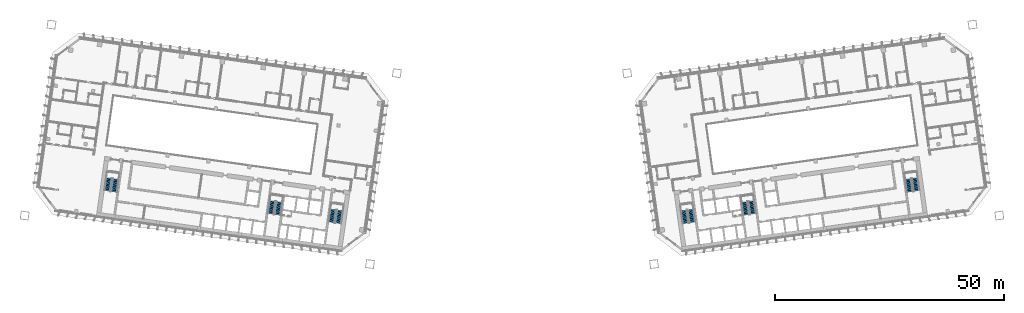
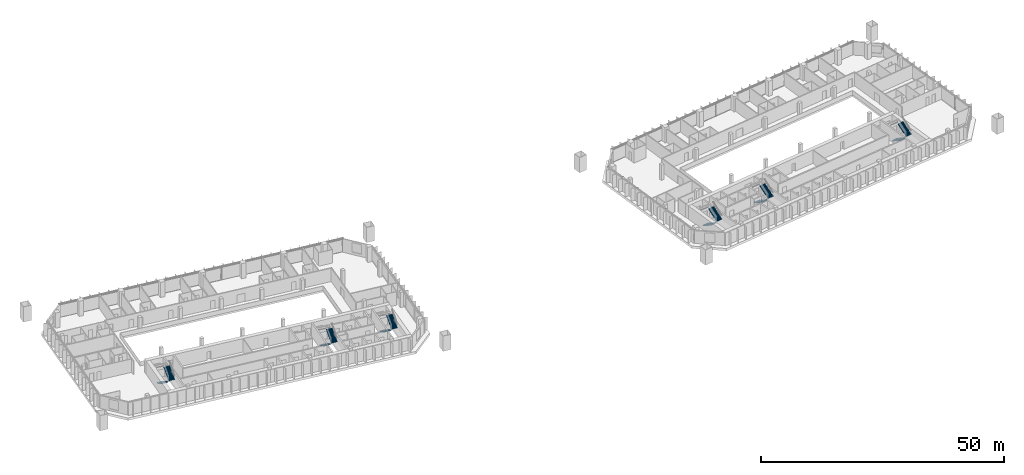
# One storey, part 22 of 24: 12 stair flights, 6 elements without a shape of their own.
"""IFC4 building model written with IfcOpenShell, lengths in metres."""

from ifc_helpers import new_model, si_unit, direction, frame, origin, place, context, subcontext, project, spatial, polyline, outline, extrude, material, type_object, element, aggregate, save


model = new_model("IFC4")

# Units and contexts
model_context = context("Model", 3, precision=1e-05, world=origin(), true_north=direction((0.0, 1.0)))
body_context = subcontext(model_context, "Body", "Model", "MODEL_VIEW")
ifc_project = project(units=[si_unit("LENGTHUNIT", "METRE"), si_unit("AREAUNIT", "SQUARE_METRE"), si_unit("VOLUMEUNIT", "CUBIC_METRE"), si_unit("PLANEANGLEUNIT", "RADIAN"), si_unit("MASSUNIT", "GRAM", prefix="KILO")], contexts=[model_context])

# Site, building, storey
site_placement = place(None, origin())
site = spatial("IfcSite", under=ifc_project, at=site_placement, CompositionType="ELEMENT")
building_placement = place(site_placement, origin())
building = spatial("IfcBuilding", under=site, at=building_placement, Name="Mirante Cascada Hotel Towers", CompositionType="ELEMENT")
storey_placement = place(building_placement, frame((0.0, 0.0, 81.3)))
storey = spatial("IfcBuildingStorey", under=building, at=storey_placement, Name="L17", CompositionType="ELEMENT", Elevation=81.3)

# Stair, stair flights
ifc_material_1 = material(Name="Concrete C35/45", Category="concrete")
stair_type = type_object("IfcStairType", Name="Exit stair half-turn 1350 concrete C35/45", PredefinedType="HALF_TURN_STAIR", material=ifc_material_1)
stair_1_placement = place(storey_placement, origin())
stair_1 = element("IfcStair", 1, at=stair_1_placement, inside=storey, type_object=stair_type, Name="L17 Exit stair A", PredefinedType="HALF_TURN_STAIR")
ifc_material_2 = material(Name="Concrete C35/45", Category="concrete")
stair_flight_type = type_object("IfcStairFlightType", Name="Exit stair flight 1350 concrete C35/45", PredefinedType="STRAIGHT", material=ifc_material_2)
stair_flight_1_placement = place(storey_placement, frame((-38.9417, -11.195, 0.0), z_axis=(0.0, 0.0, 1.0), x_axis=(-0.1391731, -0.9902681, 0.0)))
stair_flight_1 = element("IfcStairFlight", 2, at=stair_flight_1_placement, type_object=stair_flight_type, Name="ST1-A flight 1", NumberOfRisers=11, NumberOfTreads=10, PredefinedType="STRAIGHT", RiserHeight=0.172727273, TreadLength=0.28, context=body_context, shape_type="SweptSolid", body=[
    extrude(outline(polyline([(0.0, 0.0), (0.0, 0.1727), (0.28, 0.1727), (0.28, 0.3455), (0.56, 0.3455), (0.56, 0.5182), (0.84, 0.5182), (0.84, 0.6909), (1.12, 0.6909), (1.12, 0.8636), (1.4, 0.8636), (1.4, 1.0364), (1.68, 1.0364), (1.68, 1.2091), (1.96, 1.2091), (1.96, 1.3818), (2.24, 1.3818), (2.24, 1.5545), (2.52, 1.5545), (2.52, 1.7273), (2.8, 1.7273), (2.8, 1.9), (2.8, 1.551), (0.2857, 0.0), (0.0, 0.0)])), frame((0.0, 0.675, 0.0), z_axis=(0.0, -1.0, 0.0), x_axis=(1.0, 0.0, 0.0)), (0.0, 0.0, 1.0), 1.35),
])
stair_flight_2_placement = place(storey_placement, frame((-37.846, -14.1765, 1.9), z_axis=(0.0, 0.0, 1.0), x_axis=(0.1391731, 0.9902681, 0.0)))
stair_flight_2 = element("IfcStairFlight", 3, at=stair_flight_2_placement, type_object=stair_flight_type, Name="ST1-A flight 2", NumberOfRisers=11, NumberOfTreads=10, PredefinedType="STRAIGHT", RiserHeight=0.172727273, TreadLength=0.28, context=body_context, shape_type="SweptSolid", body=[
    extrude(outline(polyline([(0.0, 0.0), (0.0, 0.1727), (0.28, 0.1727), (0.28, 0.3455), (0.56, 0.3455), (0.56, 0.5182), (0.84, 0.5182), (0.84, 0.6909), (1.12, 0.6909), (1.12, 0.8636), (1.4, 0.8636), (1.4, 1.0364), (1.68, 1.0364), (1.68, 1.2091), (1.96, 1.2091), (1.96, 1.3818), (2.24, 1.3818), (2.24, 1.5545), (2.52, 1.5545), (2.52, 1.7273), (2.8, 1.7273), (2.8, 1.9), (2.8, 1.551), (0.2857, 0.0), (0.0, 0.0)])), frame((0.0, 0.675, 0.0), z_axis=(0.0, -1.0, 0.0), x_axis=(1.0, 0.0, 0.0)), (0.0, 0.0, 1.0), 1.35),
])
aggregate(stair_1, [stair_flight_1, stair_flight_2])

stair_2_placement = place(storey_placement, origin())
stair_2 = element("IfcStair", 4, at=stair_2_placement, inside=storey, type_object=stair_type, Name="L17 Exit stair B", PredefinedType="HALF_TURN_STAIR")
stair_flight_3_placement = place(storey_placement, frame((-52.1618, -9.3371, 0.0), z_axis=(0.0, 0.0, 1.0), x_axis=(-0.1391731, -0.9902681, 0.0)))
stair_flight_3 = element("IfcStairFlight", 5, at=stair_flight_3_placement, type_object=stair_flight_type, Name="ST1-B flight 1", NumberOfRisers=11, NumberOfTreads=10, PredefinedType="STRAIGHT", RiserHeight=0.172727273, TreadLength=0.28, context=body_context, shape_type="SweptSolid", body=[
    extrude(outline(polyline([(0.0, 0.0), (0.0, 0.1727), (0.28, 0.1727), (0.28, 0.3455), (0.56, 0.3455), (0.56, 0.5182), (0.84, 0.5182), (0.84, 0.6909), (1.12, 0.6909), (1.12, 0.8636), (1.4, 0.8636), (1.4, 1.0364), (1.68, 1.0364), (1.68, 1.2091), (1.96, 1.2091), (1.96, 1.3818), (2.24, 1.3818), (2.24, 1.5545), (2.52, 1.5545), (2.52, 1.7273), (2.8, 1.7273), (2.8, 1.9), (2.8, 1.551), (0.2857, 0.0), (0.0, 0.0)])), frame((0.0, 0.675, 0.0), z_axis=(0.0, -1.0, 0.0), x_axis=(1.0, 0.0, 0.0)), (0.0, 0.0, 1.0), 1.35),
])
stair_flight_4_placement = place(storey_placement, frame((-51.0661, -12.3186, 1.9), z_axis=(0.0, 0.0, 1.0), x_axis=(0.1391731, 0.9902681, 0.0)))
stair_flight_4 = element("IfcStairFlight", 6, at=stair_flight_4_placement, type_object=stair_flight_type, Name="ST1-B flight 2", NumberOfRisers=11, NumberOfTreads=10, PredefinedType="STRAIGHT", RiserHeight=0.172727273, TreadLength=0.28, context=body_context, shape_type="SweptSolid", body=[
    extrude(outline(polyline([(0.0, 0.0), (0.0, 0.1727), (0.28, 0.1727), (0.28, 0.3455), (0.56, 0.3455), (0.56, 0.5182), (0.84, 0.5182), (0.84, 0.6909), (1.12, 0.6909), (1.12, 0.8636), (1.4, 0.8636), (1.4, 1.0364), (1.68, 1.0364), (1.68, 1.2091), (1.96, 1.2091), (1.96, 1.3818), (2.24, 1.3818), (2.24, 1.5545), (2.52, 1.5545), (2.52, 1.7273), (2.8, 1.7273), (2.8, 1.9), (2.8, 1.551), (0.2857, 0.0), (0.0, 0.0)])), frame((0.0, 0.675, 0.0), z_axis=(0.0, -1.0, 0.0), x_axis=(1.0, 0.0, 0.0)), (0.0, 0.0, 1.0), 1.35),
])
aggregate(stair_2, [stair_flight_3, stair_flight_4])

stair_3_placement = place(storey_placement, origin())
stair_3 = element("IfcStair", 7, at=stair_3_placement, inside=storey, type_object=stair_type, Name="L17 Exit stair C", PredefinedType="HALF_TURN_STAIR")
stair_flight_5_placement = place(storey_placement, frame((-87.8115, -4.3268, 0.0), z_axis=(0.0, 0.0, 1.0), x_axis=(-0.1391731, -0.9902681, 0.0)))
stair_flight_5 = element("IfcStairFlight", 8, at=stair_flight_5_placement, type_object=stair_flight_type, Name="ST1-C flight 1", NumberOfRisers=11, NumberOfTreads=10, PredefinedType="STRAIGHT", RiserHeight=0.172727273, TreadLength=0.28, context=body_context, shape_type="SweptSolid", body=[
    extrude(outline(polyline([(0.0, 0.0), (0.0, 0.1727), (0.28, 0.1727), (0.28, 0.3455), (0.56, 0.3455), (0.56, 0.5182), (0.84, 0.5182), (0.84, 0.6909), (1.12, 0.6909), (1.12, 0.8636), (1.4, 0.8636), (1.4, 1.0364), (1.68, 1.0364), (1.68, 1.2091), (1.96, 1.2091), (1.96, 1.3818), (2.24, 1.3818), (2.24, 1.5545), (2.52, 1.5545), (2.52, 1.7273), (2.8, 1.7273), (2.8, 1.9), (2.8, 1.551), (0.2857, 0.0), (0.0, 0.0)])), frame((0.0, 0.675, 0.0), z_axis=(0.0, -1.0, 0.0), x_axis=(1.0, 0.0, 0.0)), (0.0, 0.0, 1.0), 1.35),
])
stair_flight_6_placement = place(storey_placement, frame((-86.7157, -7.3084, 1.9), z_axis=(0.0, 0.0, 1.0), x_axis=(0.1391731, 0.9902681, 0.0)))
stair_flight_6 = element("IfcStairFlight", 9, at=stair_flight_6_placement, type_object=stair_flight_type, Name="ST1-C flight 2", NumberOfRisers=11, NumberOfTreads=10, PredefinedType="STRAIGHT", RiserHeight=0.172727273, TreadLength=0.28, context=body_context, shape_type="SweptSolid", body=[
    extrude(outline(polyline([(0.0, 0.0), (0.0, 0.1727), (0.28, 0.1727), (0.28, 0.3455), (0.56, 0.3455), (0.56, 0.5182), (0.84, 0.5182), (0.84, 0.6909), (1.12, 0.6909), (1.12, 0.8636), (1.4, 0.8636), (1.4, 1.0364), (1.68, 1.0364), (1.68, 1.2091), (1.96, 1.2091), (1.96, 1.3818), (2.24, 1.3818), (2.24, 1.5545), (2.52, 1.5545), (2.52, 1.7273), (2.8, 1.7273), (2.8, 1.9), (2.8, 1.551), (0.2857, 0.0), (0.0, 0.0)])), frame((0.0, 0.675, 0.0), z_axis=(0.0, -1.0, 0.0), x_axis=(1.0, 0.0, 0.0)), (0.0, 0.0, 1.0), 1.35),
])
aggregate(stair_3, [stair_flight_5, stair_flight_6])

stair_4_placement = place(storey_placement, origin())
stair_4 = element("IfcStair", 10, at=stair_4_placement, inside=storey, type_object=stair_type, Name="L17 Exit stair A", PredefinedType="HALF_TURN_STAIR")
stair_flight_7_placement = place(storey_placement, frame((37.4563, -11.4038, 0.0), z_axis=(0.0, 0.0, 1.0), x_axis=(0.1391731, -0.9902681, 0.0)))
stair_flight_7 = element("IfcStairFlight", 11, at=stair_flight_7_placement, type_object=stair_flight_type, Name="ST2-A flight 1", NumberOfRisers=11, NumberOfTreads=10, PredefinedType="STRAIGHT", RiserHeight=0.172727273, TreadLength=0.28, context=body_context, shape_type="SweptSolid", body=[
    extrude(outline(polyline([(0.0, 0.0), (0.0, 0.1727), (0.28, 0.1727), (0.28, 0.3455), (0.56, 0.3455), (0.56, 0.5182), (0.84, 0.5182), (0.84, 0.6909), (1.12, 0.6909), (1.12, 0.8636), (1.4, 0.8636), (1.4, 1.0364), (1.68, 1.0364), (1.68, 1.2091), (1.96, 1.2091), (1.96, 1.3818), (2.24, 1.3818), (2.24, 1.5545), (2.52, 1.5545), (2.52, 1.7273), (2.8, 1.7273), (2.8, 1.9), (2.8, 1.551), (0.2857, 0.0), (0.0, 0.0)])), frame((0.0, 0.675, 0.0), z_axis=(0.0, -1.0, 0.0), x_axis=(1.0, 0.0, 0.0)), (0.0, 0.0, 1.0), 1.35),
])
stair_flight_8_placement = place(storey_placement, frame((39.3314, -13.9678, 1.9), z_axis=(0.0, 0.0, 1.0), x_axis=(-0.1391731, 0.9902681, 0.0)))
stair_flight_8 = element("IfcStairFlight", 12, at=stair_flight_8_placement, type_object=stair_flight_type, Name="ST2-A flight 2", NumberOfRisers=11, NumberOfTreads=10, PredefinedType="STRAIGHT", RiserHeight=0.172727273, TreadLength=0.28, context=body_context, shape_type="SweptSolid", body=[
    extrude(outline(polyline([(0.0, 0.0), (0.0, 0.1727), (0.28, 0.1727), (0.28, 0.3455), (0.56, 0.3455), (0.56, 0.5182), (0.84, 0.5182), (0.84, 0.6909), (1.12, 0.6909), (1.12, 0.8636), (1.4, 0.8636), (1.4, 1.0364), (1.68, 1.0364), (1.68, 1.2091), (1.96, 1.2091), (1.96, 1.3818), (2.24, 1.3818), (2.24, 1.5545), (2.52, 1.5545), (2.52, 1.7273), (2.8, 1.7273), (2.8, 1.9), (2.8, 1.551), (0.2857, 0.0), (0.0, 0.0)])), frame((0.0, 0.675, 0.0), z_axis=(0.0, -1.0, 0.0), x_axis=(1.0, 0.0, 0.0)), (0.0, 0.0, 1.0), 1.35),
])
aggregate(stair_4, [stair_flight_7, stair_flight_8])

stair_5_placement = place(storey_placement, origin())
stair_5 = element("IfcStair", 13, at=stair_5_placement, inside=storey, type_object=stair_type, Name="L17 Exit stair B", PredefinedType="HALF_TURN_STAIR")
stair_flight_9_placement = place(storey_placement, frame((50.6764, -9.5458, 0.0), z_axis=(0.0, 0.0, 1.0), x_axis=(0.1391731, -0.9902681, 0.0)))
stair_flight_9 = element("IfcStairFlight", 14, at=stair_flight_9_placement, type_object=stair_flight_type, Name="ST2-B flight 1", NumberOfRisers=11, NumberOfTreads=10, PredefinedType="STRAIGHT", RiserHeight=0.172727273, TreadLength=0.28, context=body_context, shape_type="SweptSolid", body=[
    extrude(outline(polyline([(0.0, 0.0), (0.0, 0.1727), (0.28, 0.1727), (0.28, 0.3455), (0.56, 0.3455), (0.56, 0.5182), (0.84, 0.5182), (0.84, 0.6909), (1.12, 0.6909), (1.12, 0.8636), (1.4, 0.8636), (1.4, 1.0364), (1.68, 1.0364), (1.68, 1.2091), (1.96, 1.2091), (1.96, 1.3818), (2.24, 1.3818), (2.24, 1.5545), (2.52, 1.5545), (2.52, 1.7273), (2.8, 1.7273), (2.8, 1.9), (2.8, 1.551), (0.2857, 0.0), (0.0, 0.0)])), frame((0.0, 0.675, 0.0), z_axis=(0.0, -1.0, 0.0), x_axis=(1.0, 0.0, 0.0)), (0.0, 0.0, 1.0), 1.35),
])
stair_flight_10_placement = place(storey_placement, frame((52.5515, -12.1098, 1.9), z_axis=(0.0, 0.0, 1.0), x_axis=(-0.1391731, 0.9902681, 0.0)))
stair_flight_10 = element("IfcStairFlight", 15, at=stair_flight_10_placement, type_object=stair_flight_type, Name="ST2-B flight 2", NumberOfRisers=11, NumberOfTreads=10, PredefinedType="STRAIGHT", RiserHeight=0.172727273, TreadLength=0.28, context=body_context, shape_type="SweptSolid", body=[
    extrude(outline(polyline([(0.0, 0.0), (0.0, 0.1727), (0.28, 0.1727), (0.28, 0.3455), (0.56, 0.3455), (0.56, 0.5182), (0.84, 0.5182), (0.84, 0.6909), (1.12, 0.6909), (1.12, 0.8636), (1.4, 0.8636), (1.4, 1.0364), (1.68, 1.0364), (1.68, 1.2091), (1.96, 1.2091), (1.96, 1.3818), (2.24, 1.3818), (2.24, 1.5545), (2.52, 1.5545), (2.52, 1.7273), (2.8, 1.7273), (2.8, 1.9), (2.8, 1.551), (0.2857, 0.0), (0.0, 0.0)])), frame((0.0, 0.675, 0.0), z_axis=(0.0, -1.0, 0.0), x_axis=(1.0, 0.0, 0.0)), (0.0, 0.0, 1.0), 1.35),
])
aggregate(stair_5, [stair_flight_9, stair_flight_10])

stair_6_placement = place(storey_placement, origin())
stair_6 = element("IfcStair", 16, at=stair_6_placement, inside=storey, type_object=stair_type, Name="L17 Exit stair C", PredefinedType="HALF_TURN_STAIR")
stair_flight_11_placement = place(storey_placement, frame((86.326, -4.5356, 0.0), z_axis=(0.0, 0.0, 1.0), x_axis=(0.1391731, -0.9902681, 0.0)))
stair_flight_11 = element("IfcStairFlight", 17, at=stair_flight_11_placement, type_object=stair_flight_type, Name="ST2-C flight 1", NumberOfRisers=11, NumberOfTreads=10, PredefinedType="STRAIGHT", RiserHeight=0.172727273, TreadLength=0.28, context=body_context, shape_type="SweptSolid", body=[
    extrude(outline(polyline([(0.0, 0.0), (0.0, 0.1727), (0.28, 0.1727), (0.28, 0.3455), (0.56, 0.3455), (0.56, 0.5182), (0.84, 0.5182), (0.84, 0.6909), (1.12, 0.6909), (1.12, 0.8636), (1.4, 0.8636), (1.4, 1.0364), (1.68, 1.0364), (1.68, 1.2091), (1.96, 1.2091), (1.96, 1.3818), (2.24, 1.3818), (2.24, 1.5545), (2.52, 1.5545), (2.52, 1.7273), (2.8, 1.7273), (2.8, 1.9), (2.8, 1.551), (0.2857, 0.0), (0.0, 0.0)])), frame((0.0, 0.675, 0.0), z_axis=(0.0, -1.0, 0.0), x_axis=(1.0, 0.0, 0.0)), (0.0, 0.0, 1.0), 1.35),
])
stair_flight_12_placement = place(storey_placement, frame((88.2011, -7.0996, 1.9), z_axis=(0.0, 0.0, 1.0), x_axis=(-0.1391731, 0.9902681, 0.0)))
stair_flight_12 = element("IfcStairFlight", 18, at=stair_flight_12_placement, type_object=stair_flight_type, Name="ST2-C flight 2", NumberOfRisers=11, NumberOfTreads=10, PredefinedType="STRAIGHT", RiserHeight=0.172727273, TreadLength=0.28, context=body_context, shape_type="SweptSolid", body=[
    extrude(outline(polyline([(0.0, 0.0), (0.0, 0.1727), (0.28, 0.1727), (0.28, 0.3455), (0.56, 0.3455), (0.56, 0.5182), (0.84, 0.5182), (0.84, 0.6909), (1.12, 0.6909), (1.12, 0.8636), (1.4, 0.8636), (1.4, 1.0364), (1.68, 1.0364), (1.68, 1.2091), (1.96, 1.2091), (1.96, 1.3818), (2.24, 1.3818), (2.24, 1.5545), (2.52, 1.5545), (2.52, 1.7273), (2.8, 1.7273), (2.8, 1.9), (2.8, 1.551), (0.2857, 0.0), (0.0, 0.0)])), frame((0.0, 0.675, 0.0), z_axis=(0.0, -1.0, 0.0), x_axis=(1.0, 0.0, 0.0)), (0.0, 0.0, 1.0), 1.35),
])
aggregate(stair_6, [stair_flight_11, stair_flight_12])

save(model, "model.ifc")
